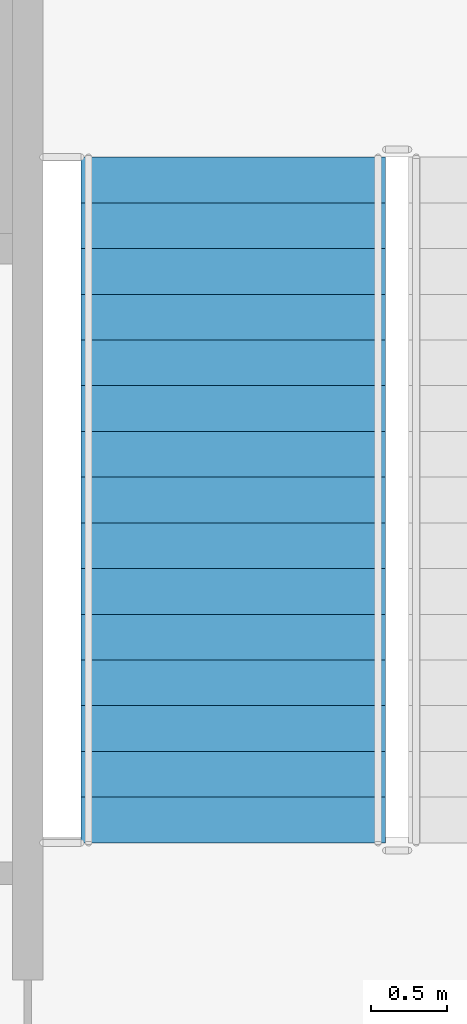
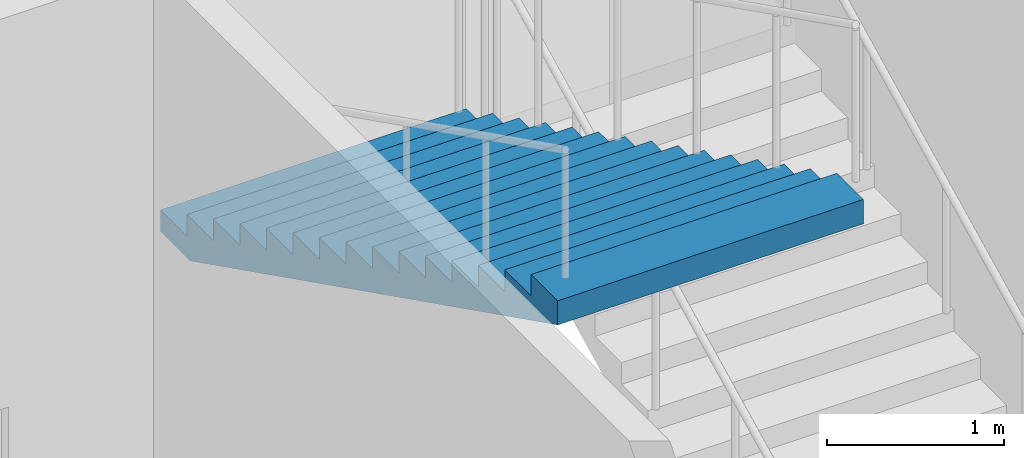
# One storey, part 74 of 100: 1 stair flight, 1 element without a shape of its own.
"""IFC4 building model written with IfcOpenShell, lengths in metres."""

from ifc_helpers import new_model, si_unit, direction, frame, origin, place, context, subcontext, project, spatial, faceted_brep, material, type_object, element, aggregate, save


model = new_model("IFC4")

# Units and contexts
model_context = context("Model", 3, precision=1e-05, world=origin(), true_north=direction((0.0, 1.0)))
body_context = subcontext(model_context, "Body", "Model", "MODEL_VIEW")
ifc_project = project(units=[si_unit("LENGTHUNIT", "METRE"), si_unit("AREAUNIT", "SQUARE_METRE"), si_unit("VOLUMEUNIT", "CUBIC_METRE"), si_unit("PLANEANGLEUNIT", "RADIAN"), si_unit("MASSUNIT", "GRAM", prefix="KILO")], contexts=[model_context])

# Site, building, storey
site_placement = place(None, origin())
site = spatial("IfcSite", under=ifc_project, at=site_placement, CompositionType="ELEMENT")
building_placement = place(site_placement, origin())
building = spatial("IfcBuilding", under=site, at=building_placement, Name="Kiln Court Media Centre", CompositionType="ELEMENT")
storey_placement = place(building_placement, frame((0.0, 0.0, 15.0)))
storey = spatial("IfcBuildingStorey", under=building, at=storey_placement, Name="L03", CompositionType="ELEMENT", Elevation=15.0)

# Stair, stair flight
ifc_material_1 = material(Name="Concrete C40/50", Category="concrete")
stair_type = type_object("IfcStairType", Name="Concrete C40/50 dog-leg stair 2000 wide, 150 riser", PredefinedType="HALF_TURN_STAIR", material=ifc_material_1)
stair_placement = place(storey_placement, origin())
stair = element("IfcStair", 1, at=stair_placement, inside=storey, type_object=stair_type, Name="ST-05 L03", PredefinedType="HALF_TURN_STAIR")
ifc_material_2 = material(Name="Concrete C40/50", Category="concrete")
stair_flight_type = type_object("IfcStairFlightType", Name="Concrete C40/50 stair flight 2000 wide, 150 riser, 300 going", PredefinedType="STRAIGHT", material=ifc_material_2)
stair_flight_placement = place(storey_placement, frame((55.449951171875, 22.89990234375, 2.39990234375), z_axis=(0.0, 0.0, 1.0), x_axis=(0.0, -1.0, 0.0)))
stair_flight = element("IfcStairFlight", 2, at=stair_flight_placement, type_object=stair_flight_type, Name="L03-ST-5003 flight 5007", NumberOfRisers=16, NumberOfTreads=15, PredefinedType="STRAIGHT", RiserHeight=0.15, TreadLength=0.3, context=body_context, shape_type="Brep", body=[
    faceted_brep([(0.335205078125, -1.0, 0.0), (4.5, -1.0, 2.08251953125), (4.5, -1.0, 2.25), (4.199951171875, -1.0, 2.25), (4.199951171875, -1.0, 2.10009765625), (3.89990234375, -1.0, 2.10009765625), (3.89990234375, -1.0, 1.949951171875), (3.60009765625, -1.0, 1.949951171875), (3.60009765625, -1.0, 1.800048828125), (3.300048828125, -1.0, 1.800048828125), (3.300048828125, -1.0, 1.64990234375), (3.0, -1.0, 1.64990234375), (3.0, -1.0, 1.5), (2.699951171875, -1.0, 1.5), (2.699951171875, -1.0, 1.35009765625), (2.39990234375, -1.0, 1.35009765625), (2.39990234375, -1.0, 1.199951171875), (2.10009765625, -1.0, 1.199951171875), (2.10009765625, -1.0, 1.050048828125), (1.800048828125, -1.0, 1.050048828125), (1.800048828125, -1.0, 0.89990234375), (1.5, -1.0, 0.89990234375), (1.5, -1.0, 0.75), (1.199951171875, -1.0, 0.75), (1.199951171875, -1.0, 0.60009765625), (0.89990234375, -1.0, 0.60009765625), (0.89990234375, -1.0, 0.449951171875), (0.60009765625, -1.0, 0.449951171875), (0.60009765625, -1.0, 0.300048828125), (0.300048828125, -1.0, 0.300048828125), (0.300048828125, -1.0, 0.14990234375), (0.0, -1.0, 0.14990234375), (0.0, -1.0, 0.0), (0.0, 1.0, 0.0), (0.0, 1.0, 0.14990234375), (0.300048828125, 1.0, 0.14990234375), (0.300048828125, 1.0, 0.300048828125), (0.60009765625, 1.0, 0.300048828125), (0.60009765625, 1.0, 0.449951171875), (0.89990234375, 1.0, 0.449951171875), (0.89990234375, 1.0, 0.60009765625), (1.199951171875, 1.0, 0.60009765625), (1.199951171875, 1.0, 0.75), (1.5, 1.0, 0.75), (1.5, 1.0, 0.89990234375), (1.800048828125, 1.0, 0.89990234375), (1.800048828125, 1.0, 1.050048828125), (2.10009765625, 1.0, 1.050048828125), (2.10009765625, 1.0, 1.199951171875), (2.39990234375, 1.0, 1.199951171875), (2.39990234375, 1.0, 1.35009765625), (2.699951171875, 1.0, 1.35009765625), (2.699951171875, 1.0, 1.5), (3.0, 1.0, 1.5), (3.0, 1.0, 1.64990234375), (3.300048828125, 1.0, 1.64990234375), (3.300048828125, 1.0, 1.800048828125), (3.60009765625, 1.0, 1.800048828125), (3.60009765625, 1.0, 1.949951171875), (3.89990234375, 1.0, 1.949951171875), (3.89990234375, 1.0, 2.10009765625), (4.199951171875, 1.0, 2.10009765625), (4.199951171875, 1.0, 2.25), (4.5, 1.0, 2.25), (4.5, 1.0, 2.08251953125), (0.335205078125, 1.0, 0.0), (4.5, 0.10009765625, 2.08251953125), (0.335205078125, 0.10009765625, 0.0), (4.5, 0.080078125, 2.08251953125), (0.335205078125, 0.080078125, 0.0), (4.5, 0.06005859375, 2.08251953125), (0.335205078125, 0.06005859375, 0.0), (4.5, 0.0400390625, 2.08251953125), (0.335205078125, 0.0400390625, 0.0), (4.5, 0.02001953125, 2.08251953125), (0.335205078125, 0.02001953125, 0.0), (4.5, 0.0, 2.08251953125), (0.335205078125, 0.0, 0.0), (4.5, -0.02001953125, 2.08251953125), (0.335205078125, -0.02001953125, 0.0), (4.5, -0.0400390625, 2.08251953125), (0.335205078125, -0.0400390625, 0.0), (4.5, -0.06005859375, 2.08251953125), (0.335205078125, -0.06005859375, 0.0), (4.5, -0.080078125, 2.08251953125), (0.335205078125, -0.080078125, 0.0), (4.5, -0.10009765625, 2.08251953125), (0.335205078125, -0.10009765625, 0.0), (4.5, 0.10009765625, 2.25), (4.5, 0.080078125, 2.25), (4.5, 0.06005859375, 2.25), (4.5, 0.0400390625, 2.25), (4.5, 0.02001953125, 2.25), (4.5, 0.0, 2.25), (4.5, -0.02001953125, 2.25), (4.5, -0.0400390625, 2.25), (4.5, -0.06005859375, 2.25), (4.5, -0.080078125, 2.25), (4.5, -0.10009765625, 2.25), (4.199951171875, 0.10009765625, 2.25), (4.199951171875, 0.080078125, 2.25), (4.199951171875, 0.06005859375, 2.25), (4.199951171875, 0.0400390625, 2.25), (4.199951171875, 0.02001953125, 2.25), (4.199951171875, 0.0, 2.25), (4.199951171875, -0.02001953125, 2.25), (4.199951171875, -0.0400390625, 2.25), (4.199951171875, -0.06005859375, 2.25), (4.199951171875, -0.080078125, 2.25), (4.199951171875, -0.10009765625, 2.25), (4.199951171875, 0.10009765625, 2.10009765625), (4.199951171875, 0.080078125, 2.10009765625), (4.199951171875, 0.06005859375, 2.10009765625), (4.199951171875, 0.0400390625, 2.10009765625), (4.199951171875, 0.02001953125, 2.10009765625), (4.199951171875, 0.0, 2.10009765625), (4.199951171875, -0.02001953125, 2.10009765625), (4.199951171875, -0.0400390625, 2.10009765625), (4.199951171875, -0.06005859375, 2.10009765625), (4.199951171875, -0.080078125, 2.10009765625), (4.199951171875, -0.10009765625, 2.10009765625), (3.89990234375, 0.10009765625, 2.10009765625), (3.89990234375, 0.080078125, 2.10009765625), (3.89990234375, 0.06005859375, 2.10009765625), (3.89990234375, 0.0400390625, 2.10009765625), (3.89990234375, 0.02001953125, 2.10009765625), (3.89990234375, 0.0, 2.10009765625), (3.89990234375, -0.02001953125, 2.10009765625), (3.89990234375, -0.0400390625, 2.10009765625), (3.89990234375, -0.06005859375, 2.10009765625), (3.89990234375, -0.080078125, 2.10009765625), (3.89990234375, -0.10009765625, 2.10009765625), (3.89990234375, 0.10009765625, 1.949951171875), (3.89990234375, 0.080078125, 1.949951171875), (3.89990234375, 0.06005859375, 1.949951171875), (3.89990234375, 0.0400390625, 1.949951171875), (3.89990234375, 0.02001953125, 1.949951171875), (3.89990234375, 0.0, 1.949951171875), (3.89990234375, -0.02001953125, 1.949951171875), (3.89990234375, -0.0400390625, 1.949951171875), (3.89990234375, -0.06005859375, 1.949951171875), (3.89990234375, -0.080078125, 1.949951171875), (3.89990234375, -0.10009765625, 1.949951171875), (3.60009765625, 0.10009765625, 1.949951171875), (3.60009765625, 0.080078125, 1.949951171875), (3.60009765625, 0.06005859375, 1.949951171875), (3.60009765625, 0.0400390625, 1.949951171875), (3.60009765625, 0.02001953125, 1.949951171875), (3.60009765625, 0.0, 1.949951171875), (3.60009765625, -0.02001953125, 1.949951171875), (3.60009765625, -0.0400390625, 1.949951171875), (3.60009765625, -0.06005859375, 1.949951171875), (3.60009765625, -0.080078125, 1.949951171875), (3.60009765625, -0.10009765625, 1.949951171875), (3.60009765625, 0.10009765625, 1.800048828125), (3.60009765625, 0.080078125, 1.800048828125), (3.60009765625, 0.06005859375, 1.800048828125), (3.60009765625, 0.0400390625, 1.800048828125), (3.60009765625, 0.02001953125, 1.800048828125), (3.60009765625, 0.0, 1.800048828125), (3.60009765625, -0.02001953125, 1.800048828125), (3.60009765625, -0.0400390625, 1.800048828125), (3.60009765625, -0.06005859375, 1.800048828125), (3.60009765625, -0.080078125, 1.800048828125), (3.60009765625, -0.10009765625, 1.800048828125), (3.300048828125, 0.10009765625, 1.800048828125), (3.300048828125, 0.080078125, 1.800048828125), (3.300048828125, 0.06005859375, 1.800048828125), (3.300048828125, 0.0400390625, 1.800048828125), (3.300048828125, 0.02001953125, 1.800048828125), (3.300048828125, 0.0, 1.800048828125), (3.300048828125, -0.02001953125, 1.800048828125), (3.300048828125, -0.0400390625, 1.800048828125), (3.300048828125, -0.06005859375, 1.800048828125), (3.300048828125, -0.080078125, 1.800048828125), (3.300048828125, -0.10009765625, 1.800048828125), (3.300048828125, 0.10009765625, 1.64990234375), (3.300048828125, 0.080078125, 1.64990234375), (3.300048828125, 0.06005859375, 1.64990234375), (3.300048828125, 0.0400390625, 1.64990234375), (3.300048828125, 0.02001953125, 1.64990234375), (3.300048828125, 0.0, 1.64990234375), (3.300048828125, -0.02001953125, 1.64990234375), (3.300048828125, -0.0400390625, 1.64990234375), (3.300048828125, -0.06005859375, 1.64990234375), (3.300048828125, -0.080078125, 1.64990234375), (3.300048828125, -0.10009765625, 1.64990234375), (3.0, 0.10009765625, 1.64990234375), (3.0, 0.080078125, 1.64990234375), (3.0, 0.06005859375, 1.64990234375), (3.0, 0.0400390625, 1.64990234375), (3.0, 0.02001953125, 1.64990234375), (3.0, 0.0, 1.64990234375), (3.0, -0.02001953125, 1.64990234375), (3.0, -0.0400390625, 1.64990234375), (3.0, -0.06005859375, 1.64990234375), (3.0, -0.080078125, 1.64990234375), (3.0, -0.10009765625, 1.64990234375), (3.0, 0.10009765625, 1.5), (3.0, 0.080078125, 1.5), (3.0, 0.06005859375, 1.5), (3.0, 0.0400390625, 1.5), (3.0, 0.02001953125, 1.5), (3.0, 0.0, 1.5), (3.0, -0.02001953125, 1.5), (3.0, -0.0400390625, 1.5), (3.0, -0.06005859375, 1.5), (3.0, -0.080078125, 1.5), (3.0, -0.10009765625, 1.5), (2.699951171875, 0.10009765625, 1.5), (2.699951171875, 0.080078125, 1.5), (2.699951171875, 0.06005859375, 1.5), (2.699951171875, 0.0400390625, 1.5), (2.699951171875, 0.02001953125, 1.5), (2.699951171875, 0.0, 1.5), (2.699951171875, -0.02001953125, 1.5), (2.699951171875, -0.0400390625, 1.5), (2.699951171875, -0.06005859375, 1.5), (2.699951171875, -0.080078125, 1.5), (2.699951171875, -0.10009765625, 1.5), (2.699951171875, 0.10009765625, 1.35009765625), (2.699951171875, 0.080078125, 1.35009765625), (2.699951171875, 0.06005859375, 1.35009765625), (2.699951171875, 0.0400390625, 1.35009765625), (2.699951171875, 0.02001953125, 1.35009765625), (2.699951171875, 0.0, 1.35009765625), (2.699951171875, -0.02001953125, 1.35009765625), (2.699951171875, -0.0400390625, 1.35009765625), (2.699951171875, -0.06005859375, 1.35009765625), (2.699951171875, -0.080078125, 1.35009765625), (2.699951171875, -0.10009765625, 1.35009765625), (2.39990234375, 0.10009765625, 1.35009765625), (2.39990234375, 0.080078125, 1.35009765625), (2.39990234375, 0.06005859375, 1.35009765625), (2.39990234375, 0.0400390625, 1.35009765625), (2.39990234375, 0.02001953125, 1.35009765625), (2.39990234375, 0.0, 1.35009765625), (2.39990234375, -0.02001953125, 1.35009765625), (2.39990234375, -0.0400390625, 1.35009765625), (2.39990234375, -0.06005859375, 1.35009765625), (2.39990234375, -0.080078125, 1.35009765625), (2.39990234375, -0.10009765625, 1.35009765625), (2.39990234375, 0.10009765625, 1.199951171875), (2.39990234375, 0.080078125, 1.199951171875), (2.39990234375, 0.06005859375, 1.199951171875), (2.39990234375, 0.0400390625, 1.199951171875), (2.39990234375, 0.02001953125, 1.199951171875), (2.39990234375, 0.0, 1.199951171875), (2.39990234375, -0.02001953125, 1.199951171875), (2.39990234375, -0.0400390625, 1.199951171875), (2.39990234375, -0.06005859375, 1.199951171875), (2.39990234375, -0.080078125, 1.199951171875), (2.39990234375, -0.10009765625, 1.199951171875), (2.10009765625, 0.10009765625, 1.199951171875), (2.10009765625, 0.080078125, 1.199951171875), (2.10009765625, 0.06005859375, 1.199951171875), (2.10009765625, 0.0400390625, 1.199951171875), (2.10009765625, 0.02001953125, 1.199951171875), (2.10009765625, 0.0, 1.199951171875), (2.10009765625, -0.02001953125, 1.199951171875), (2.10009765625, -0.0400390625, 1.199951171875), (2.10009765625, -0.06005859375, 1.199951171875), (2.10009765625, -0.080078125, 1.199951171875), (2.10009765625, -0.10009765625, 1.199951171875), (2.10009765625, 0.10009765625, 1.050048828125), (2.10009765625, 0.080078125, 1.050048828125), (2.10009765625, 0.06005859375, 1.050048828125), (2.10009765625, 0.0400390625, 1.050048828125), (2.10009765625, 0.02001953125, 1.050048828125), (2.10009765625, 0.0, 1.050048828125), (2.10009765625, -0.02001953125, 1.050048828125), (2.10009765625, -0.0400390625, 1.050048828125), (2.10009765625, -0.06005859375, 1.050048828125), (2.10009765625, -0.080078125, 1.050048828125), (2.10009765625, -0.10009765625, 1.050048828125), (1.800048828125, 0.10009765625, 1.050048828125), (1.800048828125, 0.080078125, 1.050048828125), (1.800048828125, 0.06005859375, 1.050048828125), (1.800048828125, 0.0400390625, 1.050048828125), (1.800048828125, 0.02001953125, 1.050048828125), (1.800048828125, 0.0, 1.050048828125), (1.800048828125, -0.02001953125, 1.050048828125), (1.800048828125, -0.0400390625, 1.050048828125), (1.800048828125, -0.06005859375, 1.050048828125), (1.800048828125, -0.080078125, 1.050048828125), (1.800048828125, -0.10009765625, 1.050048828125), (1.800048828125, 0.10009765625, 0.89990234375), (1.800048828125, 0.080078125, 0.89990234375), (1.800048828125, 0.06005859375, 0.89990234375), (1.800048828125, 0.0400390625, 0.89990234375), (1.800048828125, 0.02001953125, 0.89990234375), (1.800048828125, 0.0, 0.89990234375), (1.800048828125, -0.02001953125, 0.89990234375), (1.800048828125, -0.0400390625, 0.89990234375), (1.800048828125, -0.06005859375, 0.89990234375), (1.800048828125, -0.080078125, 0.89990234375), (1.800048828125, -0.10009765625, 0.89990234375), (1.5, 0.10009765625, 0.89990234375), (1.5, 0.080078125, 0.89990234375), (1.5, 0.06005859375, 0.89990234375), (1.5, 0.0400390625, 0.89990234375), (1.5, 0.02001953125, 0.89990234375), (1.5, 0.0, 0.89990234375), (1.5, -0.02001953125, 0.89990234375), (1.5, -0.0400390625, 0.89990234375), (1.5, -0.06005859375, 0.89990234375), (1.5, -0.080078125, 0.89990234375), (1.5, -0.10009765625, 0.89990234375), (1.5, 0.10009765625, 0.75), (1.5, 0.080078125, 0.75), (1.5, 0.06005859375, 0.75), (1.5, 0.0400390625, 0.75), (1.5, 0.02001953125, 0.75), (1.5, 0.0, 0.75), (1.5, -0.02001953125, 0.75), (1.5, -0.0400390625, 0.75), (1.5, -0.06005859375, 0.75), (1.5, -0.080078125, 0.75), (1.5, -0.10009765625, 0.75), (1.199951171875, 0.10009765625, 0.75), (1.199951171875, 0.080078125, 0.75), (1.199951171875, 0.06005859375, 0.75), (1.199951171875, 0.0400390625, 0.75), (1.199951171875, 0.02001953125, 0.75), (1.199951171875, 0.0, 0.75), (1.199951171875, -0.02001953125, 0.75), (1.199951171875, -0.0400390625, 0.75), (1.199951171875, -0.06005859375, 0.75), (1.199951171875, -0.080078125, 0.75), (1.199951171875, -0.10009765625, 0.75), (1.199951171875, 0.10009765625, 0.60009765625), (1.199951171875, 0.080078125, 0.60009765625), (1.199951171875, 0.06005859375, 0.60009765625), (1.199951171875, 0.0400390625, 0.60009765625), (1.199951171875, 0.02001953125, 0.60009765625), (1.199951171875, 0.0, 0.60009765625), (1.199951171875, -0.02001953125, 0.60009765625), (1.199951171875, -0.0400390625, 0.60009765625), (1.199951171875, -0.06005859375, 0.60009765625), (1.199951171875, -0.080078125, 0.60009765625), (1.199951171875, -0.10009765625, 0.60009765625), (0.89990234375, 0.10009765625, 0.60009765625), (0.89990234375, 0.080078125, 0.60009765625), (0.89990234375, 0.06005859375, 0.60009765625), (0.89990234375, 0.0400390625, 0.60009765625), (0.89990234375, 0.02001953125, 0.60009765625), (0.89990234375, 0.0, 0.60009765625), (0.89990234375, -0.02001953125, 0.60009765625), (0.89990234375, -0.0400390625, 0.60009765625), (0.89990234375, -0.06005859375, 0.60009765625), (0.89990234375, -0.080078125, 0.60009765625), (0.89990234375, -0.10009765625, 0.60009765625), (0.89990234375, 0.10009765625, 0.449951171875), (0.89990234375, 0.080078125, 0.449951171875), (0.89990234375, 0.06005859375, 0.449951171875), (0.89990234375, 0.0400390625, 0.449951171875), (0.89990234375, 0.02001953125, 0.449951171875), (0.89990234375, 0.0, 0.449951171875), (0.89990234375, -0.02001953125, 0.449951171875), (0.89990234375, -0.0400390625, 0.449951171875), (0.89990234375, -0.06005859375, 0.449951171875), (0.89990234375, -0.080078125, 0.449951171875), (0.89990234375, -0.10009765625, 0.449951171875), (0.60009765625, 0.10009765625, 0.449951171875), (0.60009765625, 0.080078125, 0.449951171875), (0.60009765625, 0.06005859375, 0.449951171875), (0.60009765625, 0.0400390625, 0.449951171875), (0.60009765625, 0.02001953125, 0.449951171875), (0.60009765625, 0.0, 0.449951171875), (0.60009765625, -0.02001953125, 0.449951171875), (0.60009765625, -0.0400390625, 0.449951171875), (0.60009765625, -0.06005859375, 0.449951171875), (0.60009765625, -0.080078125, 0.449951171875), (0.60009765625, -0.10009765625, 0.449951171875), (0.60009765625, 0.10009765625, 0.300048828125), (0.60009765625, 0.080078125, 0.300048828125), (0.60009765625, 0.06005859375, 0.300048828125), (0.60009765625, 0.0400390625, 0.300048828125), (0.60009765625, 0.02001953125, 0.300048828125), (0.60009765625, 0.0, 0.300048828125), (0.60009765625, -0.02001953125, 0.300048828125), (0.60009765625, -0.0400390625, 0.300048828125), (0.60009765625, -0.06005859375, 0.300048828125), (0.60009765625, -0.080078125, 0.300048828125), (0.60009765625, -0.10009765625, 0.300048828125), (0.300048828125, 0.10009765625, 0.300048828125), (0.300048828125, 0.080078125, 0.300048828125), (0.300048828125, 0.06005859375, 0.300048828125), (0.300048828125, 0.0400390625, 0.300048828125), (0.300048828125, 0.02001953125, 0.300048828125), (0.300048828125, 0.0, 0.300048828125), (0.300048828125, -0.02001953125, 0.300048828125), (0.300048828125, -0.0400390625, 0.300048828125), (0.300048828125, -0.06005859375, 0.300048828125), (0.300048828125, -0.080078125, 0.300048828125), (0.300048828125, -0.10009765625, 0.300048828125), (0.300048828125, 0.10009765625, 0.14990234375), (0.300048828125, 0.080078125, 0.14990234375), (0.300048828125, 0.06005859375, 0.14990234375), (0.300048828125, 0.0400390625, 0.14990234375), (0.300048828125, 0.02001953125, 0.14990234375), (0.300048828125, 0.0, 0.14990234375), (0.300048828125, -0.02001953125, 0.14990234375), (0.300048828125, -0.0400390625, 0.14990234375), (0.300048828125, -0.06005859375, 0.14990234375), (0.300048828125, -0.080078125, 0.14990234375), (0.300048828125, -0.10009765625, 0.14990234375), (0.0, 0.10009765625, 0.14990234375), (0.0, 0.080078125, 0.14990234375), (0.0, 0.06005859375, 0.14990234375), (0.0, 0.0400390625, 0.14990234375), (0.0, 0.02001953125, 0.14990234375), (0.0, 0.0, 0.14990234375), (0.0, -0.02001953125, 0.14990234375), (0.0, -0.0400390625, 0.14990234375), (0.0, -0.06005859375, 0.14990234375), (0.0, -0.080078125, 0.14990234375), (0.0, -0.10009765625, 0.14990234375), (0.0, 0.10009765625, 0.0), (0.0, 0.080078125, 0.0), (0.0, 0.06005859375, 0.0), (0.0, 0.0400390625, 0.0), (0.0, 0.02001953125, 0.0), (0.0, 0.0, 0.0), (0.0, -0.02001953125, 0.0), (0.0, -0.0400390625, 0.0), (0.0, -0.06005859375, 0.0), (0.0, -0.080078125, 0.0), (0.0, -0.10009765625, 0.0)], [[[0, 1, 2, 3, 4, 5, 6, 7, 8, 9, 10, 11, 12, 13, 14, 15, 16, 17, 18, 19, 20, 21, 22, 23, 24, 25, 26, 27, 28, 29, 30, 31, 32]], [[33, 34, 35, 36, 37, 38, 39, 40, 41, 42, 43, 44, 45, 46, 47, 48, 49, 50, 51, 52, 53, 54, 55, 56, 57, 58, 59, 60, 61, 62, 63, 64, 65]], [[65, 64, 66, 67]], [[67, 66, 68, 69]], [[69, 68, 70, 71]], [[71, 70, 72, 73]], [[73, 72, 74, 75]], [[75, 74, 76, 77]], [[77, 76, 78, 79]], [[79, 78, 80, 81]], [[81, 80, 82, 83]], [[83, 82, 84, 85]], [[85, 84, 86, 87]], [[87, 86, 1, 0]], [[64, 63, 88, 66]], [[66, 88, 89, 68]], [[68, 89, 90, 70]], [[70, 90, 91, 72]], [[72, 91, 92, 74]], [[74, 92, 93, 76]], [[76, 93, 94, 78]], [[78, 94, 95, 80]], [[80, 95, 96, 82]], [[82, 96, 97, 84]], [[84, 97, 98, 86]], [[86, 98, 2, 1]], [[63, 62, 99, 88]], [[88, 99, 100, 89]], [[89, 100, 101, 90]], [[90, 101, 102, 91]], [[91, 102, 103, 92]], [[92, 103, 104, 93]], [[93, 104, 105, 94]], [[94, 105, 106, 95]], [[95, 106, 107, 96]], [[96, 107, 108, 97]], [[97, 108, 109, 98]], [[98, 109, 3, 2]], [[62, 61, 110, 99]], [[99, 110, 111, 100]], [[100, 111, 112, 101]], [[101, 112, 113, 102]], [[102, 113, 114, 103]], [[103, 114, 115, 104]], [[104, 115, 116, 105]], [[105, 116, 117, 106]], [[106, 117, 118, 107]], [[107, 118, 119, 108]], [[108, 119, 120, 109]], [[109, 120, 4, 3]], [[61, 60, 121, 110]], [[110, 121, 122, 111]], [[111, 122, 123, 112]], [[112, 123, 124, 113]], [[113, 124, 125, 114]], [[114, 125, 126, 115]], [[115, 126, 127, 116]], [[116, 127, 128, 117]], [[117, 128, 129, 118]], [[118, 129, 130, 119]], [[119, 130, 131, 120]], [[120, 131, 5, 4]], [[60, 59, 132, 121]], [[121, 132, 133, 122]], [[122, 133, 134, 123]], [[123, 134, 135, 124]], [[124, 135, 136, 125]], [[125, 136, 137, 126]], [[126, 137, 138, 127]], [[127, 138, 139, 128]], [[128, 139, 140, 129]], [[129, 140, 141, 130]], [[130, 141, 142, 131]], [[131, 142, 6, 5]], [[59, 58, 143, 132]], [[132, 143, 144, 133]], [[133, 144, 145, 134]], [[134, 145, 146, 135]], [[135, 146, 147, 136]], [[136, 147, 148, 137]], [[137, 148, 149, 138]], [[138, 149, 150, 139]], [[139, 150, 151, 140]], [[140, 151, 152, 141]], [[141, 152, 153, 142]], [[142, 153, 7, 6]], [[58, 57, 154, 143]], [[143, 154, 155, 144]], [[144, 155, 156, 145]], [[145, 156, 157, 146]], [[146, 157, 158, 147]], [[147, 158, 159, 148]], [[148, 159, 160, 149]], [[149, 160, 161, 150]], [[150, 161, 162, 151]], [[151, 162, 163, 152]], [[152, 163, 164, 153]], [[153, 164, 8, 7]], [[57, 56, 165, 154]], [[154, 165, 166, 155]], [[155, 166, 167, 156]], [[156, 167, 168, 157]], [[157, 168, 169, 158]], [[158, 169, 170, 159]], [[159, 170, 171, 160]], [[160, 171, 172, 161]], [[161, 172, 173, 162]], [[162, 173, 174, 163]], [[163, 174, 175, 164]], [[164, 175, 9, 8]], [[56, 55, 176, 165]], [[165, 176, 177, 166]], [[166, 177, 178, 167]], [[167, 178, 179, 168]], [[168, 179, 180, 169]], [[169, 180, 181, 170]], [[170, 181, 182, 171]], [[171, 182, 183, 172]], [[172, 183, 184, 173]], [[173, 184, 185, 174]], [[174, 185, 186, 175]], [[175, 186, 10, 9]], [[55, 54, 187, 176]], [[176, 187, 188, 177]], [[177, 188, 189, 178]], [[178, 189, 190, 179]], [[179, 190, 191, 180]], [[180, 191, 192, 181]], [[181, 192, 193, 182]], [[182, 193, 194, 183]], [[183, 194, 195, 184]], [[184, 195, 196, 185]], [[185, 196, 197, 186]], [[186, 197, 11, 10]], [[54, 53, 198, 187]], [[187, 198, 199, 188]], [[188, 199, 200, 189]], [[189, 200, 201, 190]], [[190, 201, 202, 191]], [[191, 202, 203, 192]], [[192, 203, 204, 193]], [[193, 204, 205, 194]], [[194, 205, 206, 195]], [[195, 206, 207, 196]], [[196, 207, 208, 197]], [[197, 208, 12, 11]], [[53, 52, 209, 198]], [[198, 209, 210, 199]], [[199, 210, 211, 200]], [[200, 211, 212, 201]], [[201, 212, 213, 202]], [[202, 213, 214, 203]], [[203, 214, 215, 204]], [[204, 215, 216, 205]], [[205, 216, 217, 206]], [[206, 217, 218, 207]], [[207, 218, 219, 208]], [[208, 219, 13, 12]], [[52, 51, 220, 209]], [[209, 220, 221, 210]], [[210, 221, 222, 211]], [[211, 222, 223, 212]], [[212, 223, 224, 213]], [[213, 224, 225, 214]], [[214, 225, 226, 215]], [[215, 226, 227, 216]], [[216, 227, 228, 217]], [[217, 228, 229, 218]], [[218, 229, 230, 219]], [[219, 230, 14, 13]], [[51, 50, 231, 220]], [[220, 231, 232, 221]], [[221, 232, 233, 222]], [[222, 233, 234, 223]], [[223, 234, 235, 224]], [[224, 235, 236, 225]], [[225, 236, 237, 226]], [[226, 237, 238, 227]], [[227, 238, 239, 228]], [[228, 239, 240, 229]], [[229, 240, 241, 230]], [[230, 241, 15, 14]], [[50, 49, 242, 231]], [[231, 242, 243, 232]], [[232, 243, 244, 233]], [[233, 244, 245, 234]], [[234, 245, 246, 235]], [[235, 246, 247, 236]], [[236, 247, 248, 237]], [[237, 248, 249, 238]], [[238, 249, 250, 239]], [[239, 250, 251, 240]], [[240, 251, 252, 241]], [[241, 252, 16, 15]], [[49, 48, 253, 242]], [[242, 253, 254, 243]], [[243, 254, 255, 244]], [[244, 255, 256, 245]], [[245, 256, 257, 246]], [[246, 257, 258, 247]], [[247, 258, 259, 248]], [[248, 259, 260, 249]], [[249, 260, 261, 250]], [[250, 261, 262, 251]], [[251, 262, 263, 252]], [[252, 263, 17, 16]], [[48, 47, 264, 253]], [[253, 264, 265, 254]], [[254, 265, 266, 255]], [[255, 266, 267, 256]], [[256, 267, 268, 257]], [[257, 268, 269, 258]], [[258, 269, 270, 259]], [[259, 270, 271, 260]], [[260, 271, 272, 261]], [[261, 272, 273, 262]], [[262, 273, 274, 263]], [[263, 274, 18, 17]], [[47, 46, 275, 264]], [[264, 275, 276, 265]], [[265, 276, 277, 266]], [[266, 277, 278, 267]], [[267, 278, 279, 268]], [[268, 279, 280, 269]], [[269, 280, 281, 270]], [[270, 281, 282, 271]], [[271, 282, 283, 272]], [[272, 283, 284, 273]], [[273, 284, 285, 274]], [[274, 285, 19, 18]], [[46, 45, 286, 275]], [[275, 286, 287, 276]], [[276, 287, 288, 277]], [[277, 288, 289, 278]], [[278, 289, 290, 279]], [[279, 290, 291, 280]], [[280, 291, 292, 281]], [[281, 292, 293, 282]], [[282, 293, 294, 283]], [[283, 294, 295, 284]], [[284, 295, 296, 285]], [[285, 296, 20, 19]], [[45, 44, 297, 286]], [[286, 297, 298, 287]], [[287, 298, 299, 288]], [[288, 299, 300, 289]], [[289, 300, 301, 290]], [[290, 301, 302, 291]], [[291, 302, 303, 292]], [[292, 303, 304, 293]], [[293, 304, 305, 294]], [[294, 305, 306, 295]], [[295, 306, 307, 296]], [[296, 307, 21, 20]], [[44, 43, 308, 297]], [[297, 308, 309, 298]], [[298, 309, 310, 299]], [[299, 310, 311, 300]], [[300, 311, 312, 301]], [[301, 312, 313, 302]], [[302, 313, 314, 303]], [[303, 314, 315, 304]], [[304, 315, 316, 305]], [[305, 316, 317, 306]], [[306, 317, 318, 307]], [[307, 318, 22, 21]], [[43, 42, 319, 308]], [[308, 319, 320, 309]], [[309, 320, 321, 310]], [[310, 321, 322, 311]], [[311, 322, 323, 312]], [[312, 323, 324, 313]], [[313, 324, 325, 314]], [[314, 325, 326, 315]], [[315, 326, 327, 316]], [[316, 327, 328, 317]], [[317, 328, 329, 318]], [[318, 329, 23, 22]], [[42, 41, 330, 319]], [[319, 330, 331, 320]], [[320, 331, 332, 321]], [[321, 332, 333, 322]], [[322, 333, 334, 323]], [[323, 334, 335, 324]], [[324, 335, 336, 325]], [[325, 336, 337, 326]], [[326, 337, 338, 327]], [[327, 338, 339, 328]], [[328, 339, 340, 329]], [[329, 340, 24, 23]], [[41, 40, 341, 330]], [[330, 341, 342, 331]], [[331, 342, 343, 332]], [[332, 343, 344, 333]], [[333, 344, 345, 334]], [[334, 345, 346, 335]], [[335, 346, 347, 336]], [[336, 347, 348, 337]], [[337, 348, 349, 338]], [[338, 349, 350, 339]], [[339, 350, 351, 340]], [[340, 351, 25, 24]], [[40, 39, 352, 341]], [[341, 352, 353, 342]], [[342, 353, 354, 343]], [[343, 354, 355, 344]], [[344, 355, 356, 345]], [[345, 356, 357, 346]], [[346, 357, 358, 347]], [[347, 358, 359, 348]], [[348, 359, 360, 349]], [[349, 360, 361, 350]], [[350, 361, 362, 351]], [[351, 362, 26, 25]], [[39, 38, 363, 352]], [[352, 363, 364, 353]], [[353, 364, 365, 354]], [[354, 365, 366, 355]], [[355, 366, 367, 356]], [[356, 367, 368, 357]], [[357, 368, 369, 358]], [[358, 369, 370, 359]], [[359, 370, 371, 360]], [[360, 371, 372, 361]], [[361, 372, 373, 362]], [[362, 373, 27, 26]], [[38, 37, 374, 363]], [[363, 374, 375, 364]], [[364, 375, 376, 365]], [[365, 376, 377, 366]], [[366, 377, 378, 367]], [[367, 378, 379, 368]], [[368, 379, 380, 369]], [[369, 380, 381, 370]], [[370, 381, 382, 371]], [[371, 382, 383, 372]], [[372, 383, 384, 373]], [[373, 384, 28, 27]], [[37, 36, 385, 374]], [[374, 385, 386, 375]], [[375, 386, 387, 376]], [[376, 387, 388, 377]], [[377, 388, 389, 378]], [[378, 389, 390, 379]], [[379, 390, 391, 380]], [[380, 391, 392, 381]], [[381, 392, 393, 382]], [[382, 393, 394, 383]], [[383, 394, 395, 384]], [[384, 395, 29, 28]], [[36, 35, 396, 385]], [[385, 396, 397, 386]], [[386, 397, 398, 387]], [[387, 398, 399, 388]], [[388, 399, 400, 389]], [[389, 400, 401, 390]], [[390, 401, 402, 391]], [[391, 402, 403, 392]], [[392, 403, 404, 393]], [[393, 404, 405, 394]], [[394, 405, 406, 395]], [[395, 406, 30, 29]], [[35, 34, 407, 396]], [[396, 407, 408, 397]], [[397, 408, 409, 398]], [[398, 409, 410, 399]], [[399, 410, 411, 400]], [[400, 411, 412, 401]], [[401, 412, 413, 402]], [[402, 413, 414, 403]], [[403, 414, 415, 404]], [[404, 415, 416, 405]], [[405, 416, 417, 406]], [[406, 417, 31, 30]], [[34, 33, 418, 407]], [[407, 418, 419, 408]], [[408, 419, 420, 409]], [[409, 420, 421, 410]], [[410, 421, 422, 411]], [[411, 422, 423, 412]], [[412, 423, 424, 413]], [[413, 424, 425, 414]], [[414, 425, 426, 415]], [[415, 426, 427, 416]], [[416, 427, 428, 417]], [[417, 428, 32, 31]], [[33, 65, 67, 418]], [[418, 67, 69, 419]], [[419, 69, 71, 420]], [[420, 71, 73, 421]], [[421, 73, 75, 422]], [[422, 75, 77, 423]], [[423, 77, 79, 424]], [[424, 79, 81, 425]], [[425, 81, 83, 426]], [[426, 83, 85, 427]], [[427, 85, 87, 428]], [[428, 87, 0, 32]]]),
])
aggregate(stair, [stair_flight])

save(model, "model.ifc")
